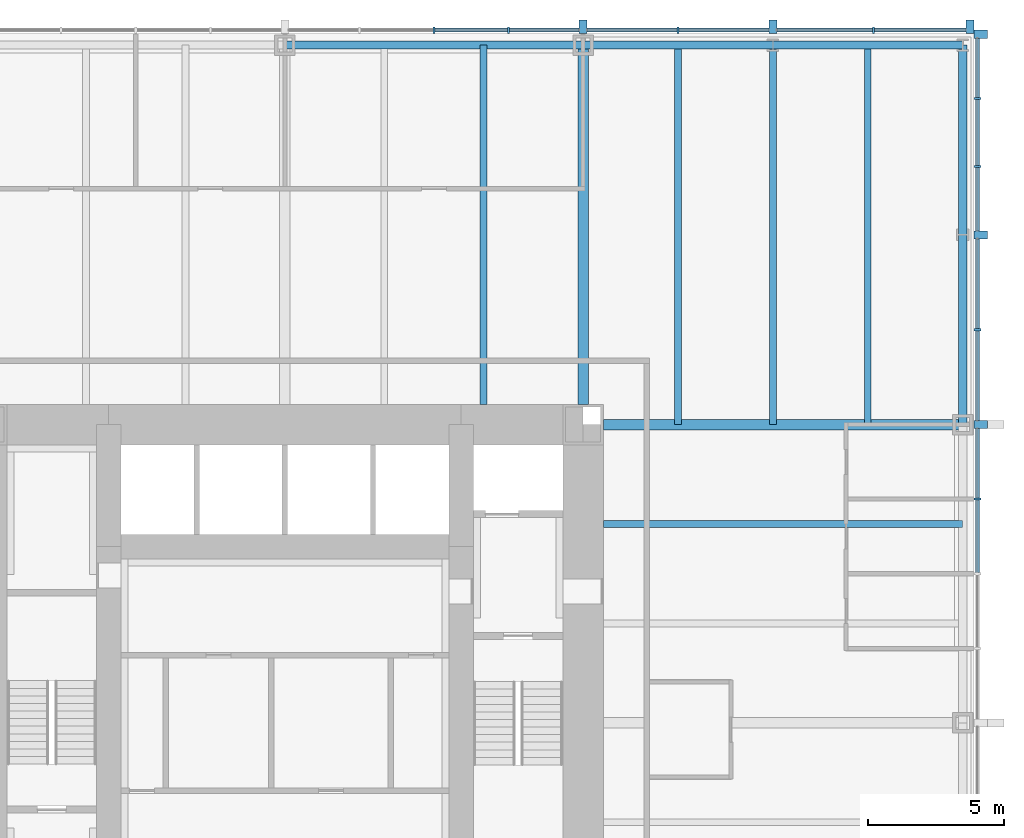
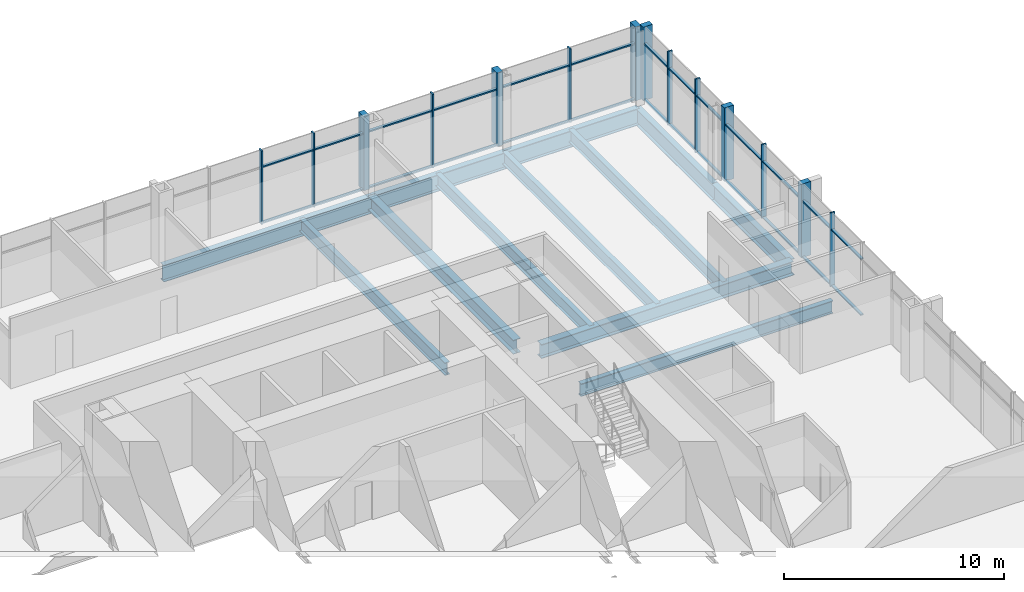
# One storey, part 6 of 12: 40 members, 12 beams, 2 elements without a shape of their own.
"""IFC4 building model written with IfcOpenShell, lengths in metres."""

from ifc_helpers import new_model, si_unit, direction, frame, origin, origin_2d, place, context, subcontext, project, spatial, rectangle, i_section, extrude, material, material_profile, profile_set, type_object, element, aggregate, save


model = new_model("IFC4")

# Units and contexts
model_context = context("Model", 3, precision=1e-05, world=origin(), true_north=direction((0.0, 1.0)))
body_context = subcontext(model_context, "Body", "Model", "MODEL_VIEW")
ifc_project = project(units=[si_unit("LENGTHUNIT", "METRE"), si_unit("AREAUNIT", "SQUARE_METRE"), si_unit("VOLUMEUNIT", "CUBIC_METRE"), si_unit("PLANEANGLEUNIT", "RADIAN"), si_unit("MASSUNIT", "GRAM", prefix="KILO")], contexts=[model_context])

# Site, building, storey
site_placement = place(None, origin())
site = spatial("IfcSite", under=ifc_project, at=site_placement, CompositionType="ELEMENT")
building_placement = place(site_placement, origin())
building = spatial("IfcBuilding", under=site, at=building_placement, Name="Trevanion Tower", CompositionType="ELEMENT")
storey_placement = place(building_placement, frame((0.0, 0.0, 57.0)))
storey = spatial("IfcBuildingStorey", under=building, at=storey_placement, Name="L13", CompositionType="ELEMENT", Elevation=57.0)

# Beams
ifc_material_1 = material(Name="Steel ASTM A992 Grade 50", Category="steel")
ifc_material_profile_1 = material_profile(ifc_material_1, i_section(OverallWidth=0.25390625, OverallDepth=0.700927734375, WebThickness=0.015380859375, FlangeThickness=0.02783203125, at=origin_2d()), Name="W27X129")
ifc_profile_set_1 = profile_set([ifc_material_profile_1], Name="Steel ASTM A992 Grade 50")
beam_type_1 = type_object("IfcBeamType", Name="B3 W27X129", PredefinedType="BEAM", material=ifc_profile_set_1)
for number, where, z_axis, x_axis, name in (
    (1, (11.75, 7.333251953125, -0.54052734375), (1.0, 0.0, 0.0), (0.0, 1.0, 0.0), "B3 L13"),
    (2, (7.333251953125, 11.75, -0.54052734375), (0.0, 1.0, 0.0), (-1.0, 0.0, 0.0), "B3 L13"),
):
    element("IfcBeam", number, at=place(storey_placement, frame(where, z_axis=z_axis, x_axis=x_axis)), inside=storey, type_object=beam_type_1, Name=name, PredefinedType="BEAM", context=body_context, shape_type="SweptSolid", body=[
        extrude(i_section(OverallWidth=0.25390625, OverallDepth=0.700927734375, WebThickness=0.015380859375, FlangeThickness=0.02783203125, at=origin_2d()), origin(), (0.0, 0.0, 1.0), 13.25),
    ])
ifc_material_2 = material(Name="Steel ASTM A992 Grade 50", Category="steel")
ifc_material_profile_2 = material_profile(ifc_material_2, i_section(OverallWidth=0.256591796875, OverallDepth=0.693359375, WebThickness=0.014404296875, FlangeThickness=0.023681640625, at=origin_2d()), Name="W27X114")
ifc_profile_set_2 = profile_set([ifc_material_profile_2], Name="Steel ASTM A992 Grade 50")
beam_type_2 = type_object("IfcBeamType", Name="B4 W27X114", PredefinedType="BEAM", material=ifc_profile_set_2)
for number, where, z_axis, x_axis, name in (
    (3, (14.5, 11.0, -0.53662109375), (0.0, 1.0, 0.0), (-1.0, 0.0, 0.0), "B4 L13"),
    (4, (18.0, 11.0, -0.53662109375), (0.0, 1.0, 0.0), (-1.0, 0.0, 0.0), "B4 L13"),
    (5, (21.5, 11.0, -0.53662109375), (0.0, 1.0, 0.0), (-1.0, 0.0, 0.0), "B4 L13"),
):
    element("IfcBeam", number, at=place(storey_placement, frame(where, z_axis=z_axis, x_axis=x_axis)), inside=storey, type_object=beam_type_2, Name=name, PredefinedType="BEAM", context=body_context, shape_type="SweptSolid", body=[
        extrude(i_section(OverallWidth=0.256591796875, OverallDepth=0.693359375, WebThickness=0.014404296875, FlangeThickness=0.023681640625, at=origin_2d()), origin(), (0.0, 0.0, 1.0), 14.0),
    ])

# Curtain wall, members
ifc_material_3 = material(Name="Aluminium and glass", Category="aluminium")
curtain_wall_type = type_object("IfcCurtainWallType", Name="CW1 curtain wall", PredefinedType="USERDEFINED", material=ifc_material_3)
curtain_wall_1_placement = place(storey_placement, origin())
curtain_wall_1 = element("IfcCurtainWall", 6, at=curtain_wall_1_placement, inside=storey, type_object=curtain_wall_type, Name="CW1 L13 0", ObjectType="UNITISED CURTAIN WALL", PredefinedType="USERDEFINED")
ifc_material_4 = material(Name="Aluminium extrusion, anodised bronze", Category="aluminium")
ifc_material_profile_3 = material_profile(ifc_material_4, rectangle(XDim=0.074951171875, YDim=0.25, at=origin_2d()), Name="CW1 mullion")
ifc_profile_set_3 = profile_set([ifc_material_profile_3], Name="Aluminium extrusion, anodised bronze")
member_type_1 = type_object("IfcMemberType", Name="CW1 mullion", PredefinedType="MULLION", material=ifc_profile_set_3)
member_1_placement = place(storey_placement, frame((25.550048828125, 8.25, -0.18994140625), z_axis=(0.0, 0.0, 1.0), x_axis=(0.0, 1.0, 0.0)))
member_1 = element("IfcMember", 7, at=member_1_placement, type_object=member_type_1, Name="CW1 mullion 12", PredefinedType="MULLION", context=body_context, shape_type="SweptSolid", body=[
    extrude(rectangle(XDim=0.074951171875, YDim=0.25, at=origin_2d()), origin(), (0.0, 0.0, 1.0), 4.099853515625),
])
member_2_placement = place(storey_placement, frame((25.550048828125, 14.5, -0.18994140625), z_axis=(0.0, 0.0, 1.0), x_axis=(0.0, 1.0, 0.0)))
member_2 = element("IfcMember", 8, at=member_2_placement, type_object=member_type_1, Name="CW1 mullion 14", PredefinedType="MULLION", context=body_context, shape_type="SweptSolid", body=[
    extrude(rectangle(XDim=0.074951171875, YDim=0.25, at=origin_2d()), origin(), (0.0, 0.0, 1.0), 4.099853515625),
])
member_3_placement = place(storey_placement, frame((25.550048828125, 20.5166015625, -0.18994140625), z_axis=(0.0, 0.0, 1.0), x_axis=(0.0, 1.0, 0.0)))
member_3 = element("IfcMember", 9, at=member_3_placement, type_object=member_type_1, Name="CW1 mullion 16", PredefinedType="MULLION", context=body_context, shape_type="SweptSolid", body=[
    extrude(rectangle(XDim=0.074951171875, YDim=0.25, at=origin_2d()), origin(), (0.0, 0.0, 1.0), 4.099853515625),
])
member_4_placement = place(storey_placement, frame((25.550048828125, 23.033203125, -0.18994140625), z_axis=(0.0, 0.0, 1.0), x_axis=(0.0, 1.0, 0.0)))
member_4 = element("IfcMember", 10, at=member_4_placement, type_object=member_type_1, Name="CW1 mullion 17", PredefinedType="MULLION", context=body_context, shape_type="SweptSolid", body=[
    extrude(rectangle(XDim=0.074951171875, YDim=0.25, at=origin_2d()), origin(), (0.0, 0.0, 1.0), 4.099853515625),
])

curtain_wall_2_placement = place(storey_placement, origin())
curtain_wall_2 = element("IfcCurtainWall", 11, at=curtain_wall_2_placement, inside=storey, type_object=curtain_wall_type, Name="CW1 L13 1", ObjectType="UNITISED CURTAIN WALL", PredefinedType="USERDEFINED")
member_5_placement = place(storey_placement, frame((21.7099609375, 25.550048828125, -0.18994140625), z_axis=(0.0, 0.0, 1.0), x_axis=(-1.0, 0.0, 0.0)))
member_5 = element("IfcMember", 12, at=member_5_placement, type_object=member_type_1, Name="CW1 mullion 2", PredefinedType="MULLION", context=body_context, shape_type="SweptSolid", body=[
    extrude(rectangle(XDim=0.074951171875, YDim=0.25, at=origin_2d()), origin(), (0.0, 0.0, 1.0), 4.099853515625),
])
member_6_placement = place(storey_placement, frame((14.5, 25.550048828125, -0.18994140625), z_axis=(0.0, 0.0, 1.0), x_axis=(-1.0, 0.0, 0.0)))
member_6 = element("IfcMember", 13, at=member_6_placement, type_object=member_type_1, Name="CW1 mullion 4", PredefinedType="MULLION", context=body_context, shape_type="SweptSolid", body=[
    extrude(rectangle(XDim=0.074951171875, YDim=0.25, at=origin_2d()), origin(), (0.0, 0.0, 1.0), 4.099853515625),
])
member_7_placement = place(storey_placement, frame((8.25, 25.550048828125, -0.18994140625), z_axis=(0.0, 0.0, 1.0), x_axis=(-1.0, 0.0, 0.0)))
member_7 = element("IfcMember", 14, at=member_7_placement, type_object=member_type_1, Name="CW1 mullion 6", PredefinedType="MULLION", context=body_context, shape_type="SweptSolid", body=[
    extrude(rectangle(XDim=0.074951171875, YDim=0.25, at=origin_2d()), origin(), (0.0, 0.0, 1.0), 4.099853515625),
])
member_8_placement = place(storey_placement, frame((5.5, 25.550048828125, -0.18994140625), z_axis=(0.0, 0.0, 1.0), x_axis=(-1.0, 0.0, 0.0)))
member_8 = element("IfcMember", 15, at=member_8_placement, type_object=member_type_1, Name="CW1 mullion 7", PredefinedType="MULLION", context=body_context, shape_type="SweptSolid", body=[
    extrude(rectangle(XDim=0.074951171875, YDim=0.25, at=origin_2d()), origin(), (0.0, 0.0, 1.0), 4.099853515625),
])

# Member
ifc_material_5 = material(Name="Aluminium extrusion, anodised bronze", Category="aluminium")
ifc_material_profile_4 = material_profile(ifc_material_5, rectangle(XDim=0.300048828125, YDim=0.5, at=origin_2d()), Name="CW1 pier mullion")
ifc_profile_set_4 = profile_set([ifc_material_profile_4], Name="Aluminium extrusion, anodised bronze")
member_type_2 = type_object("IfcMemberType", Name="CW1 pier mullion", PredefinedType="MULLION", material=ifc_profile_set_4)
member_9_placement = place(storey_placement, frame((25.675048828125, 11.0, -0.18994140625), z_axis=(0.0, 0.0, 1.0), x_axis=(0.0, 1.0, 0.0)))
member_9 = element("IfcMember", 16, at=member_9_placement, type_object=member_type_2, Name="CW1 pier mullion 13", PredefinedType="MULLION", context=body_context, shape_type="SweptSolid", body=[
    extrude(rectangle(XDim=0.300048828125, YDim=0.5, at=origin_2d()), origin(), (0.0, 0.0, 1.0), 4.099853515625),
])

member_10_placement = place(storey_placement, frame((25.675048828125, 18.0, -0.18994140625), z_axis=(0.0, 0.0, 1.0), x_axis=(0.0, 1.0, 0.0)))
member_10 = element("IfcMember", 17, at=member_10_placement, type_object=member_type_2, Name="CW1 pier mullion 15", PredefinedType="MULLION", context=body_context, shape_type="SweptSolid", body=[
    extrude(rectangle(XDim=0.300048828125, YDim=0.5, at=origin_2d()), origin(), (0.0, 0.0, 1.0), 4.099853515625),
])

member_11_placement = place(storey_placement, frame((25.675048828125, 25.39990234375, -0.18994140625), z_axis=(0.0, 0.0, 1.0), x_axis=(0.0, 1.0, 0.0)))
member_11 = element("IfcMember", 18, at=member_11_placement, type_object=member_type_2, Name="CW1 pier mullion 18", PredefinedType="MULLION", context=body_context, shape_type="SweptSolid", body=[
    extrude(rectangle(XDim=0.300048828125, YDim=0.5, at=origin_2d()), origin(), (0.0, 0.0, 1.0), 4.099853515625),
])

member_12_placement = place(storey_placement, frame((25.27001953125, 25.675048828125, -0.18994140625), z_axis=(0.0, 0.0, 1.0), x_axis=(-1.0, 0.0, 0.0)))
member_12 = element("IfcMember", 19, at=member_12_placement, type_object=member_type_2, Name="CW1 pier mullion 1", PredefinedType="MULLION", context=body_context, shape_type="SweptSolid", body=[
    extrude(rectangle(XDim=0.300048828125, YDim=0.5, at=origin_2d()), origin(), (0.0, 0.0, 1.0), 4.099853515625),
])

member_13_placement = place(storey_placement, frame((18.0, 25.675048828125, -0.18994140625), z_axis=(0.0, 0.0, 1.0), x_axis=(-1.0, 0.0, 0.0)))
member_13 = element("IfcMember", 20, at=member_13_placement, type_object=member_type_2, Name="CW1 pier mullion 3", PredefinedType="MULLION", context=body_context, shape_type="SweptSolid", body=[
    extrude(rectangle(XDim=0.300048828125, YDim=0.5, at=origin_2d()), origin(), (0.0, 0.0, 1.0), 4.099853515625),
])

member_14_placement = place(storey_placement, frame((11.0, 25.675048828125, -0.18994140625), z_axis=(0.0, 0.0, 1.0), x_axis=(-1.0, 0.0, 0.0)))
member_14 = element("IfcMember", 21, at=member_14_placement, type_object=member_type_2, Name="CW1 pier mullion 5", PredefinedType="MULLION", context=body_context, shape_type="SweptSolid", body=[
    extrude(rectangle(XDim=0.300048828125, YDim=0.5, at=origin_2d()), origin(), (0.0, 0.0, 1.0), 4.099853515625),
])

ifc_material_6 = material(Name="Aluminium extrusion, anodised bronze", Category="aluminium")
ifc_material_profile_5 = material_profile(ifc_material_6, rectangle(XDim=0.14990234375, YDim=0.074951171875, at=origin_2d()), Name="CW1 transom")
ifc_profile_set_5 = profile_set([ifc_material_profile_5], Name="Aluminium extrusion, anodised bronze")
member_type_3 = type_object("IfcMemberType", Name="CW1 transom", PredefinedType="USERDEFINED", material=ifc_profile_set_5)
member_15_placement = place(storey_placement, frame((25.550048828125, 5.53759765625, -0.152587890625), z_axis=(0.0, 1.0, 0.0), x_axis=(-1.0, 0.0, 0.0)))
member_15 = element("IfcMember", 22, at=member_15_placement, type_object=member_type_3, Name="CW1 transom 11.1", ObjectType="TRANSOM", PredefinedType="USERDEFINED", context=body_context, shape_type="SweptSolid", body=[
    extrude(rectangle(XDim=0.14990234375, YDim=0.074951171875, at=origin_2d()), origin(), (0.0, 0.0, 1.0), 2.6748046875),
])

member_16_placement = place(storey_placement, frame((25.550048828125, 5.53759765625, 2.9599609375), z_axis=(0.0, 1.0, 0.0), x_axis=(-1.0, 0.0, 0.0)))
member_16 = element("IfcMember", 23, at=member_16_placement, type_object=member_type_3, Name="CW1 transom 11.2", ObjectType="TRANSOM", PredefinedType="USERDEFINED", context=body_context, shape_type="SweptSolid", body=[
    extrude(rectangle(XDim=0.14990234375, YDim=0.074951171875, at=origin_2d()), origin(), (0.0, 0.0, 1.0), 2.6748046875),
])

member_17_placement = place(storey_placement, frame((25.550048828125, 8.28759765625, -0.152587890625), z_axis=(0.0, 1.0, 0.0), x_axis=(-1.0, 0.0, 0.0)))
member_17 = element("IfcMember", 24, at=member_17_placement, type_object=member_type_3, Name="CW1 transom 12.1", ObjectType="TRANSOM", PredefinedType="USERDEFINED", context=body_context, shape_type="SweptSolid", body=[
    extrude(rectangle(XDim=0.14990234375, YDim=0.074951171875, at=origin_2d()), origin(), (0.0, 0.0, 1.0), 2.5625),
])

member_18_placement = place(storey_placement, frame((25.550048828125, 8.28759765625, 2.9599609375), z_axis=(0.0, 1.0, 0.0), x_axis=(-1.0, 0.0, 0.0)))
member_18 = element("IfcMember", 25, at=member_18_placement, type_object=member_type_3, Name="CW1 transom 12.2", ObjectType="TRANSOM", PredefinedType="USERDEFINED", context=body_context, shape_type="SweptSolid", body=[
    extrude(rectangle(XDim=0.14990234375, YDim=0.074951171875, at=origin_2d()), origin(), (0.0, 0.0, 1.0), 2.5625),
])

member_19_placement = place(storey_placement, frame((25.550048828125, 11.14990234375, -0.152587890625), z_axis=(0.0, 1.0, 0.0), x_axis=(-1.0, 0.0, 0.0)))
member_19 = element("IfcMember", 26, at=member_19_placement, type_object=member_type_3, Name="CW1 transom 13.1", ObjectType="TRANSOM", PredefinedType="USERDEFINED", context=body_context, shape_type="SweptSolid", body=[
    extrude(rectangle(XDim=0.14990234375, YDim=0.074951171875, at=origin_2d()), origin(), (0.0, 0.0, 1.0), 3.3125),
])

member_20_placement = place(storey_placement, frame((25.550048828125, 11.14990234375, 2.9599609375), z_axis=(0.0, 1.0, 0.0), x_axis=(-1.0, 0.0, 0.0)))
member_20 = element("IfcMember", 27, at=member_20_placement, type_object=member_type_3, Name="CW1 transom 13.2", ObjectType="TRANSOM", PredefinedType="USERDEFINED", context=body_context, shape_type="SweptSolid", body=[
    extrude(rectangle(XDim=0.14990234375, YDim=0.074951171875, at=origin_2d()), origin(), (0.0, 0.0, 1.0), 3.3125),
])

member_21_placement = place(storey_placement, frame((25.550048828125, 14.53759765625, -0.152587890625), z_axis=(0.0, 1.0, 0.0), x_axis=(-1.0, 0.0, 0.0)))
member_21 = element("IfcMember", 28, at=member_21_placement, type_object=member_type_3, Name="CW1 transom 14.1", ObjectType="TRANSOM", PredefinedType="USERDEFINED", context=body_context, shape_type="SweptSolid", body=[
    extrude(rectangle(XDim=0.14990234375, YDim=0.074951171875, at=origin_2d()), origin(), (0.0, 0.0, 1.0), 3.3125),
])

member_22_placement = place(storey_placement, frame((25.550048828125, 14.53759765625, 2.9599609375), z_axis=(0.0, 1.0, 0.0), x_axis=(-1.0, 0.0, 0.0)))
member_22 = element("IfcMember", 29, at=member_22_placement, type_object=member_type_3, Name="CW1 transom 14.2", ObjectType="TRANSOM", PredefinedType="USERDEFINED", context=body_context, shape_type="SweptSolid", body=[
    extrude(rectangle(XDim=0.14990234375, YDim=0.074951171875, at=origin_2d()), origin(), (0.0, 0.0, 1.0), 3.3125),
])

member_23_placement = place(storey_placement, frame((25.550048828125, 18.14990234375, -0.152587890625), z_axis=(0.0, 1.0, 0.0), x_axis=(-1.0, 0.0, 0.0)))
member_23 = element("IfcMember", 30, at=member_23_placement, type_object=member_type_3, Name="CW1 transom 15.1", ObjectType="TRANSOM", PredefinedType="USERDEFINED", context=body_context, shape_type="SweptSolid", body=[
    extrude(rectangle(XDim=0.14990234375, YDim=0.074951171875, at=origin_2d()), origin(), (0.0, 0.0, 1.0), 2.329345703125),
])

member_24_placement = place(storey_placement, frame((25.550048828125, 18.14990234375, 2.9599609375), z_axis=(0.0, 1.0, 0.0), x_axis=(-1.0, 0.0, 0.0)))
member_24 = element("IfcMember", 31, at=member_24_placement, type_object=member_type_3, Name="CW1 transom 15.2", ObjectType="TRANSOM", PredefinedType="USERDEFINED", context=body_context, shape_type="SweptSolid", body=[
    extrude(rectangle(XDim=0.14990234375, YDim=0.074951171875, at=origin_2d()), origin(), (0.0, 0.0, 1.0), 2.329345703125),
])

member_25_placement = place(storey_placement, frame((25.550048828125, 20.55419921875, -0.152587890625), z_axis=(0.0, 1.0, 0.0), x_axis=(-1.0, 0.0, 0.0)))
member_25 = element("IfcMember", 32, at=member_25_placement, type_object=member_type_3, Name="CW1 transom 16.1", ObjectType="TRANSOM", PredefinedType="USERDEFINED", context=body_context, shape_type="SweptSolid", body=[
    extrude(rectangle(XDim=0.14990234375, YDim=0.074951171875, at=origin_2d()), origin(), (0.0, 0.0, 1.0), 2.441650390625),
])

member_26_placement = place(storey_placement, frame((25.550048828125, 20.55419921875, 2.9599609375), z_axis=(0.0, 1.0, 0.0), x_axis=(-1.0, 0.0, 0.0)))
member_26 = element("IfcMember", 33, at=member_26_placement, type_object=member_type_3, Name="CW1 transom 16.2", ObjectType="TRANSOM", PredefinedType="USERDEFINED", context=body_context, shape_type="SweptSolid", body=[
    extrude(rectangle(XDim=0.14990234375, YDim=0.074951171875, at=origin_2d()), origin(), (0.0, 0.0, 1.0), 2.441650390625),
])

member_27_placement = place(storey_placement, frame((25.550048828125, 23.07080078125, -0.152587890625), z_axis=(0.0, 1.0, 0.0), x_axis=(-1.0, 0.0, 0.0)))
member_27 = element("IfcMember", 34, at=member_27_placement, type_object=member_type_3, Name="CW1 transom 17.1", ObjectType="TRANSOM", PredefinedType="USERDEFINED", context=body_context, shape_type="SweptSolid", body=[
    extrude(rectangle(XDim=0.14990234375, YDim=0.074951171875, at=origin_2d()), origin(), (0.0, 0.0, 1.0), 2.17919921875),
])

member_28_placement = place(storey_placement, frame((25.550048828125, 23.07080078125, 2.9599609375), z_axis=(0.0, 1.0, 0.0), x_axis=(-1.0, 0.0, 0.0)))
member_28 = element("IfcMember", 35, at=member_28_placement, type_object=member_type_3, Name="CW1 transom 17.2", ObjectType="TRANSOM", PredefinedType="USERDEFINED", context=body_context, shape_type="SweptSolid", body=[
    extrude(rectangle(XDim=0.14990234375, YDim=0.074951171875, at=origin_2d()), origin(), (0.0, 0.0, 1.0), 2.17919921875),
])

aggregate(curtain_wall_1, [member_1, member_9, member_2, member_10, member_3, member_4, member_11, member_15, member_16, member_17, member_18, member_19, member_20, member_21, member_22, member_23, member_24, member_25, member_26, member_27, member_28])

member_29_placement = place(storey_placement, frame((25.1201171875, 25.550048828125, -0.152587890625), z_axis=(-1.0, 0.0, 0.0), x_axis=(0.0, -1.0, 0.0)))
member_29 = element("IfcMember", 36, at=member_29_placement, type_object=member_type_3, Name="CW1 transom 1.1", ObjectType="TRANSOM", PredefinedType="USERDEFINED", context=body_context, shape_type="SweptSolid", body=[
    extrude(rectangle(XDim=0.14990234375, YDim=0.074951171875, at=origin_2d()), origin(), (0.0, 0.0, 1.0), 3.37255859375),
])

member_30_placement = place(storey_placement, frame((25.1201171875, 25.550048828125, 2.9599609375), z_axis=(-1.0, 0.0, 0.0), x_axis=(0.0, -1.0, 0.0)))
member_30 = element("IfcMember", 37, at=member_30_placement, type_object=member_type_3, Name="CW1 transom 1.2", ObjectType="TRANSOM", PredefinedType="USERDEFINED", context=body_context, shape_type="SweptSolid", body=[
    extrude(rectangle(XDim=0.14990234375, YDim=0.074951171875, at=origin_2d()), origin(), (0.0, 0.0, 1.0), 3.37255859375),
])

member_31_placement = place(storey_placement, frame((21.672607421875, 25.550048828125, -0.152587890625), z_axis=(-1.0, 0.0, 0.0), x_axis=(0.0, -1.0, 0.0)))
member_31 = element("IfcMember", 38, at=member_31_placement, type_object=member_type_3, Name="CW1 transom 2.1", ObjectType="TRANSOM", PredefinedType="USERDEFINED", context=body_context, shape_type="SweptSolid", body=[
    extrude(rectangle(XDim=0.14990234375, YDim=0.074951171875, at=origin_2d()), origin(), (0.0, 0.0, 1.0), 3.522705078125),
])

member_32_placement = place(storey_placement, frame((21.672607421875, 25.550048828125, 2.9599609375), z_axis=(-1.0, 0.0, 0.0), x_axis=(0.0, -1.0, 0.0)))
member_32 = element("IfcMember", 39, at=member_32_placement, type_object=member_type_3, Name="CW1 transom 2.2", ObjectType="TRANSOM", PredefinedType="USERDEFINED", context=body_context, shape_type="SweptSolid", body=[
    extrude(rectangle(XDim=0.14990234375, YDim=0.074951171875, at=origin_2d()), origin(), (0.0, 0.0, 1.0), 3.522705078125),
])

member_33_placement = place(storey_placement, frame((17.85009765625, 25.550048828125, -0.152587890625), z_axis=(-1.0, 0.0, 0.0), x_axis=(0.0, -1.0, 0.0)))
member_33 = element("IfcMember", 40, at=member_33_placement, type_object=member_type_3, Name="CW1 transom 3.1", ObjectType="TRANSOM", PredefinedType="USERDEFINED", context=body_context, shape_type="SweptSolid", body=[
    extrude(rectangle(XDim=0.14990234375, YDim=0.074951171875, at=origin_2d()), origin(), (0.0, 0.0, 1.0), 3.3125),
])

member_34_placement = place(storey_placement, frame((17.85009765625, 25.550048828125, 2.9599609375), z_axis=(-1.0, 0.0, 0.0), x_axis=(0.0, -1.0, 0.0)))
member_34 = element("IfcMember", 41, at=member_34_placement, type_object=member_type_3, Name="CW1 transom 3.2", ObjectType="TRANSOM", PredefinedType="USERDEFINED", context=body_context, shape_type="SweptSolid", body=[
    extrude(rectangle(XDim=0.14990234375, YDim=0.074951171875, at=origin_2d()), origin(), (0.0, 0.0, 1.0), 3.3125),
])

member_35_placement = place(storey_placement, frame((14.46240234375, 25.550048828125, -0.152587890625), z_axis=(-1.0, 0.0, 0.0), x_axis=(0.0, -1.0, 0.0)))
member_35 = element("IfcMember", 42, at=member_35_placement, type_object=member_type_3, Name="CW1 transom 4.1", ObjectType="TRANSOM", PredefinedType="USERDEFINED", context=body_context, shape_type="SweptSolid", body=[
    extrude(rectangle(XDim=0.14990234375, YDim=0.074951171875, at=origin_2d()), origin(), (0.0, 0.0, 1.0), 3.3125),
])

member_36_placement = place(storey_placement, frame((14.46240234375, 25.550048828125, 2.9599609375), z_axis=(-1.0, 0.0, 0.0), x_axis=(0.0, -1.0, 0.0)))
member_36 = element("IfcMember", 43, at=member_36_placement, type_object=member_type_3, Name="CW1 transom 4.2", ObjectType="TRANSOM", PredefinedType="USERDEFINED", context=body_context, shape_type="SweptSolid", body=[
    extrude(rectangle(XDim=0.14990234375, YDim=0.074951171875, at=origin_2d()), origin(), (0.0, 0.0, 1.0), 3.3125),
])

member_37_placement = place(storey_placement, frame((10.85009765625, 25.550048828125, -0.152587890625), z_axis=(-1.0, 0.0, 0.0), x_axis=(0.0, -1.0, 0.0)))
member_37 = element("IfcMember", 44, at=member_37_placement, type_object=member_type_3, Name="CW1 transom 5.1", ObjectType="TRANSOM", PredefinedType="USERDEFINED", context=body_context, shape_type="SweptSolid", body=[
    extrude(rectangle(XDim=0.14990234375, YDim=0.074951171875, at=origin_2d()), origin(), (0.0, 0.0, 1.0), 2.5625),
])

member_38_placement = place(storey_placement, frame((10.85009765625, 25.550048828125, 2.9599609375), z_axis=(-1.0, 0.0, 0.0), x_axis=(0.0, -1.0, 0.0)))
member_38 = element("IfcMember", 45, at=member_38_placement, type_object=member_type_3, Name="CW1 transom 5.2", ObjectType="TRANSOM", PredefinedType="USERDEFINED", context=body_context, shape_type="SweptSolid", body=[
    extrude(rectangle(XDim=0.14990234375, YDim=0.074951171875, at=origin_2d()), origin(), (0.0, 0.0, 1.0), 2.5625),
])

member_39_placement = place(storey_placement, frame((8.21240234375, 25.550048828125, -0.152587890625), z_axis=(-1.0, 0.0, 0.0), x_axis=(0.0, -1.0, 0.0)))
member_39 = element("IfcMember", 46, at=member_39_placement, type_object=member_type_3, Name="CW1 transom 6.1", ObjectType="TRANSOM", PredefinedType="USERDEFINED", context=body_context, shape_type="SweptSolid", body=[
    extrude(rectangle(XDim=0.14990234375, YDim=0.074951171875, at=origin_2d()), origin(), (0.0, 0.0, 1.0), 2.6748046875),
])

member_40_placement = place(storey_placement, frame((8.21240234375, 25.550048828125, 2.9599609375), z_axis=(-1.0, 0.0, 0.0), x_axis=(0.0, -1.0, 0.0)))
member_40 = element("IfcMember", 47, at=member_40_placement, type_object=member_type_3, Name="CW1 transom 6.2", ObjectType="TRANSOM", PredefinedType="USERDEFINED", context=body_context, shape_type="SweptSolid", body=[
    extrude(rectangle(XDim=0.14990234375, YDim=0.074951171875, at=origin_2d()), origin(), (0.0, 0.0, 1.0), 2.6748046875),
])

aggregate(curtain_wall_2, [member_12, member_5, member_13, member_6, member_14, member_7, member_8, member_29, member_30, member_31, member_32, member_33, member_34, member_35, member_36, member_37, member_38, member_39, member_40])

# Beams
ifc_material_7 = material(Name="Steel ASTM A992 Grade 50", Category="steel")
ifc_material_profile_6 = material_profile(ifc_material_7, i_section(OverallWidth=0.381103515625, OverallDepth=0.77978515625, WebThickness=0.01806640625, FlangeThickness=0.0302734375, at=origin_2d()), Name="W30X191")
ifc_profile_set_6 = profile_set([ifc_material_profile_6], Name="Steel ASTM A992 Grade 50")
beam_type_3 = type_object("IfcBeamType", Name="G2 W30X191", PredefinedType="BEAM", material=ifc_profile_set_6)
for number, where, z_axis, x_axis, name in (
    (48, (11.75, 11.0, -0.579833984375), (1.0, 0.0, 0.0), (0.0, 1.0, 0.0), "G2 L13"),
    (49, (11.0, 11.75, -0.579833984375), (0.0, 1.0, 0.0), (-1.0, 0.0, 0.0), "G2 L13"),
):
    element("IfcBeam", number, at=place(storey_placement, frame(where, z_axis=z_axis, x_axis=x_axis)), inside=storey, type_object=beam_type_3, Name=name, PredefinedType="BEAM", context=body_context, shape_type="SweptSolid", body=[
        extrude(i_section(OverallWidth=0.381103515625, OverallDepth=0.77978515625, WebThickness=0.01806640625, FlangeThickness=0.0302734375, at=origin_2d()), origin(), (0.0, 0.0, 1.0), 13.25),
    ])
ifc_material_8 = material(Name="Steel ASTM A992 Grade 50", Category="steel")
ifc_material_profile_7 = material_profile(ifc_material_8, i_section(OverallWidth=0.307373046875, OverallDepth=0.927001953125, WebThickness=0.01953125, FlangeThickness=0.031982421875, at=origin_2d()), Name="W36X194")
ifc_profile_set_7 = profile_set([ifc_material_profile_7], Name="Steel ASTM A992 Grade 50")
beam_type_4 = type_object("IfcBeamType", Name="SB2 W36X194", PredefinedType="SPANDREL", material=ifc_profile_set_7)
for number, where, z_axis, x_axis, name in (
    (50, (25.0, 11.0, -0.653564453125), (0.0, 1.0, 0.0), (-1.0, 0.0, 0.0), "SB2 L13"),
    (51, (25.0, 18.0, -0.653564453125), (0.0, 1.0, 0.0), (-1.0, 0.0, 0.0), "SB2 L13"),
    (52, (25.0, 25.0, -0.653564453125), (-1.0, 0.0, 0.0), (0.0, -1.0, 0.0), "SB2 L13"),
    (53, (18.0, 25.0, -0.653564453125), (-1.0, 0.0, 0.0), (0.0, -1.0, 0.0), "SB2 L13"),
):
    element("IfcBeam", number, at=place(storey_placement, frame(where, z_axis=z_axis, x_axis=x_axis)), inside=storey, type_object=beam_type_4, Name=name, PredefinedType="SPANDREL", context=body_context, shape_type="SweptSolid", body=[
        extrude(i_section(OverallWidth=0.307373046875, OverallDepth=0.927001953125, WebThickness=0.01953125, FlangeThickness=0.031982421875, at=origin_2d()), origin(), (0.0, 0.0, 1.0), 7.0),
    ])
beam_placement = place(storey_placement, frame((11.0, 25.0, -0.653564453125), z_axis=(-1.0, 0.0, 0.0), x_axis=(0.0, -1.0, 0.0)))
element("IfcBeam", 54, at=beam_placement, inside=storey, type_object=beam_type_4, Name="SB2 L13", PredefinedType="SPANDREL", context=body_context, shape_type="SweptSolid", body=[
    extrude(i_section(OverallWidth=0.307373046875, OverallDepth=0.927001953125, WebThickness=0.01953125, FlangeThickness=0.031982421875, at=origin_2d()), origin(), (0.0, 0.0, 1.0), 11.0),
])

save(model, "model.ifc")
